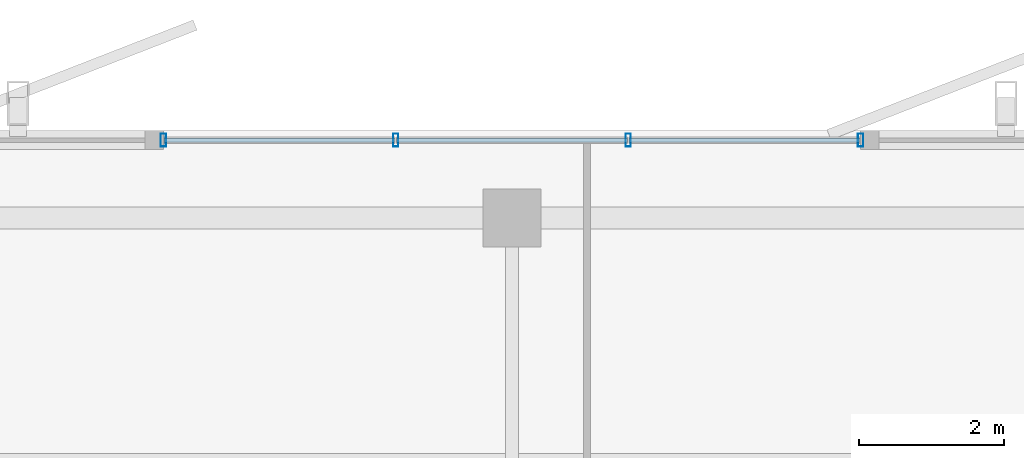
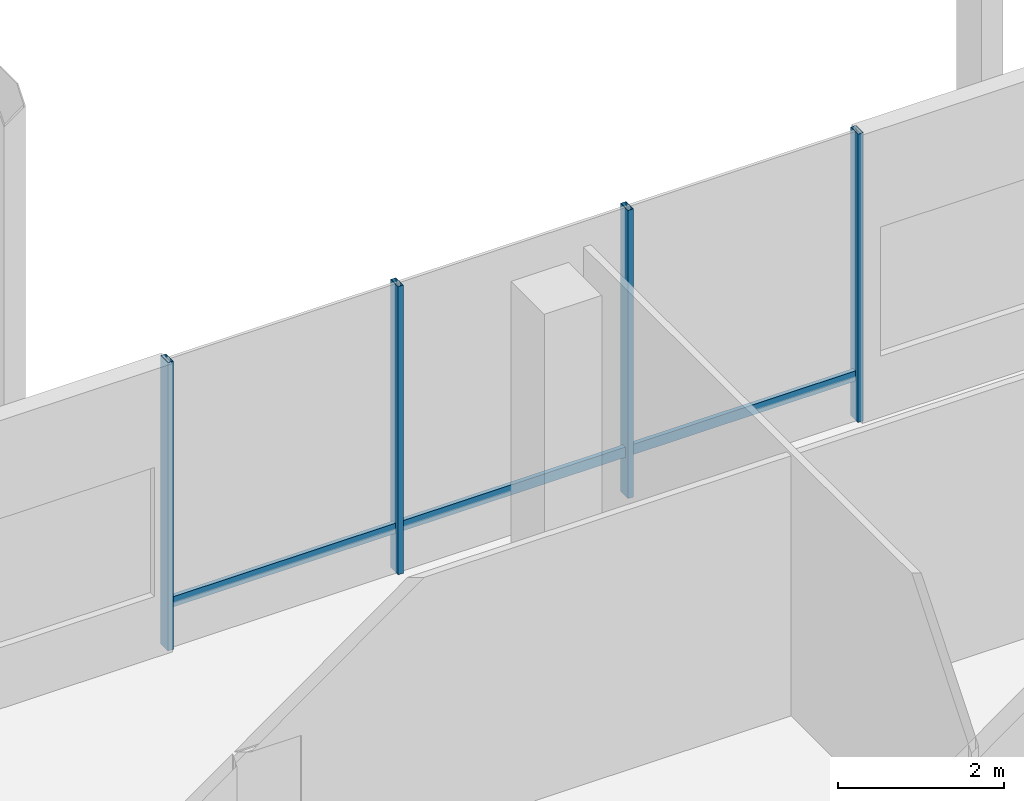
# One storey, part 9 of 15: 7 members, 1 element without a shape of its own.
"""IFC4 building model written with IfcOpenShell, lengths in metres."""

from ifc_helpers import new_model, si_unit, direction, frame, origin, origin_2d, place, context, subcontext, project, spatial, hollow_rectangle, extrude, material, layer, layer_set, material_profile, profile_set, type_object, element, aggregate, save


model = new_model("IFC4")

# Units and contexts
model_context = context("Model", 3, precision=1e-05, world=origin(), true_north=direction((0.0, 1.0)))
body_context = subcontext(model_context, "Body", "Model", "MODEL_VIEW")
ifc_project = project(units=[si_unit("LENGTHUNIT", "METRE"), si_unit("AREAUNIT", "SQUARE_METRE"), si_unit("VOLUMEUNIT", "CUBIC_METRE"), si_unit("PLANEANGLEUNIT", "RADIAN"), si_unit("MASSUNIT", "GRAM", prefix="KILO")], contexts=[model_context])

# Site, building, storey
site_placement = place(None, origin())
site = spatial("IfcSite", under=ifc_project, at=site_placement, CompositionType="ELEMENT")
building_placement = place(site_placement, origin())
building = spatial("IfcBuilding", under=site, at=building_placement, Name="Belovzor Exchange Tower", CompositionType="ELEMENT")
storey_placement = place(building_placement, frame((0.0, 0.0, 360.0)))
storey = spatial("IfcBuildingStorey", under=building, at=storey_placement, Name="L90", CompositionType="ELEMENT", Elevation=360.0)

# Curtain wall, members
ifc_material_1 = material(Name="Anodised Aluminium Framing", Category="aluminium")
ifc_layer = layer(ifc_material_1, 0.169921875)
ifc_layer_set = layer_set([ifc_layer], Name="Anodised Aluminium Framing")
curtain_wall_type = type_object("IfcCurtainWallType", Name="Stepped Crown Faceted Lantern Curtain Wall", PredefinedType="NOTDEFINED", material=ifc_layer_set)
curtain_wall_placement = place(storey_placement, origin())
curtain_wall = element("IfcCurtainWall", 1, at=curtain_wall_placement, inside=storey, type_object=curtain_wall_type, Name="CW6 Stepped Crown Faceted Lantern Curtain Wall L90", PredefinedType="NOTDEFINED")
ifc_material_2 = material(Name="Steel S355", Category="steel")
ifc_material_profile_1 = material_profile(ifc_material_2, hollow_rectangle(XDim=0.074951171875, YDim=0.179931640625, WallThickness=0.0048828125, at=origin_2d()))
ifc_profile_set_1 = profile_set([ifc_material_profile_1], Name="Steel S355")
member_type_1 = type_object("IfcMemberType", Name="Thermally Broken Curtain Wall Mullion 180x75", PredefinedType="MULLION", material=ifc_profile_set_1)
member_1_placement = place(storey_placement, frame((24.0, 49.070068359375, 0.0), z_axis=(0.0, 0.0, 1.0), x_axis=(1.0, 0.0, 0.0)))
member_1 = element("IfcMember", 2, at=member_1_placement, type_object=member_type_1, Name="CW-M180 Curtain Wall Mullion 1", PredefinedType="MULLION", context=body_context, shape_type="SweptSolid", body=[
    extrude(hollow_rectangle(XDim=0.074951171875, YDim=0.179931640625, WallThickness=0.0048828125, at=origin_2d()), origin(), (0.0, 0.0, 1.0), 4.239990234375),
])
member_2_placement = place(storey_placement, frame((27.199951171875, 49.070068359375, 0.0), z_axis=(0.0, 0.0, 1.0), x_axis=(1.0, 0.0, 0.0)))
member_2 = element("IfcMember", 3, at=member_2_placement, type_object=member_type_1, Name="CW-M180 Curtain Wall Mullion 2", PredefinedType="MULLION", context=body_context, shape_type="SweptSolid", body=[
    extrude(hollow_rectangle(XDim=0.074951171875, YDim=0.179931640625, WallThickness=0.0048828125, at=origin_2d()), origin(), (0.0, 0.0, 1.0), 4.239990234375),
])
member_3_placement = place(storey_placement, frame((30.39990234375, 49.070068359375, 0.0), z_axis=(0.0, 0.0, 1.0), x_axis=(1.0, 0.0, 0.0)))
member_3 = element("IfcMember", 4, at=member_3_placement, type_object=member_type_1, Name="CW-M180 Curtain Wall Mullion 3", PredefinedType="MULLION", context=body_context, shape_type="SweptSolid", body=[
    extrude(hollow_rectangle(XDim=0.074951171875, YDim=0.179931640625, WallThickness=0.0048828125, at=origin_2d()), origin(), (0.0, 0.0, 1.0), 4.239990234375),
])
member_4_placement = place(storey_placement, frame((33.60009765625, 49.070068359375, 0.0), z_axis=(0.0, 0.0, 1.0), x_axis=(1.0, 0.0, 0.0)))
member_4 = element("IfcMember", 5, at=member_4_placement, type_object=member_type_1, Name="CW-M180 Curtain Wall Mullion 4", PredefinedType="MULLION", context=body_context, shape_type="SweptSolid", body=[
    extrude(hollow_rectangle(XDim=0.074951171875, YDim=0.179931640625, WallThickness=0.0048828125, at=origin_2d()), origin(), (0.0, 0.0, 1.0), 4.239990234375),
])
ifc_material_3 = material(Name="Steel S355", Category="steel")
ifc_material_profile_2 = material_profile(ifc_material_3, hollow_rectangle(XDim=0.06005859375, YDim=0.14990234375, WallThickness=0.00390625, at=origin_2d()))
ifc_profile_set_2 = profile_set([ifc_material_profile_2], Name="Steel S355")
member_type_2 = type_object("IfcMemberType", Name="Thermally Broken Curtain Wall Transom 150x60", PredefinedType="USERDEFINED", material=ifc_profile_set_2)
member_5_placement = place(storey_placement, frame((24.008056640625, 49.070068359375, 0.64990234375), z_axis=(1.0, 0.0, 0.0), x_axis=(0.0, 1.0, 0.0)))
member_5 = element("IfcMember", 6, at=member_5_placement, type_object=member_type_2, Name="CW-T150 Curtain Wall Transom 1", ObjectType="TRANSOM", PredefinedType="USERDEFINED", context=body_context, shape_type="SweptSolid", body=[
    extrude(hollow_rectangle(XDim=0.06005859375, YDim=0.14990234375, WallThickness=0.00390625, at=origin_2d()), origin(), (0.0, 0.0, 1.0), 3.183837890625),
])
member_6_placement = place(storey_placement, frame((27.2080078125, 49.070068359375, 0.64990234375), z_axis=(1.0, 0.0, 0.0), x_axis=(0.0, 1.0, 0.0)))
member_6 = element("IfcMember", 7, at=member_6_placement, type_object=member_type_2, Name="CW-T150 Curtain Wall Transom 2", ObjectType="TRANSOM", PredefinedType="USERDEFINED", context=body_context, shape_type="SweptSolid", body=[
    extrude(hollow_rectangle(XDim=0.06005859375, YDim=0.14990234375, WallThickness=0.00390625, at=origin_2d()), origin(), (0.0, 0.0, 1.0), 3.18408203125),
])
member_7_placement = place(storey_placement, frame((30.407958984375, 49.070068359375, 0.64990234375), z_axis=(1.0, 0.0, 0.0), x_axis=(0.0, 1.0, 0.0)))
member_7 = element("IfcMember", 8, at=member_7_placement, type_object=member_type_2, Name="CW-T150 Curtain Wall Transom 3", ObjectType="TRANSOM", PredefinedType="USERDEFINED", context=body_context, shape_type="SweptSolid", body=[
    extrude(hollow_rectangle(XDim=0.06005859375, YDim=0.14990234375, WallThickness=0.00390625, at=origin_2d()), origin(), (0.0, 0.0, 1.0), 3.18408203125),
])
aggregate(curtain_wall, [member_1, member_2, member_3, member_4, member_5, member_6, member_7])

save(model, "model.ifc")
